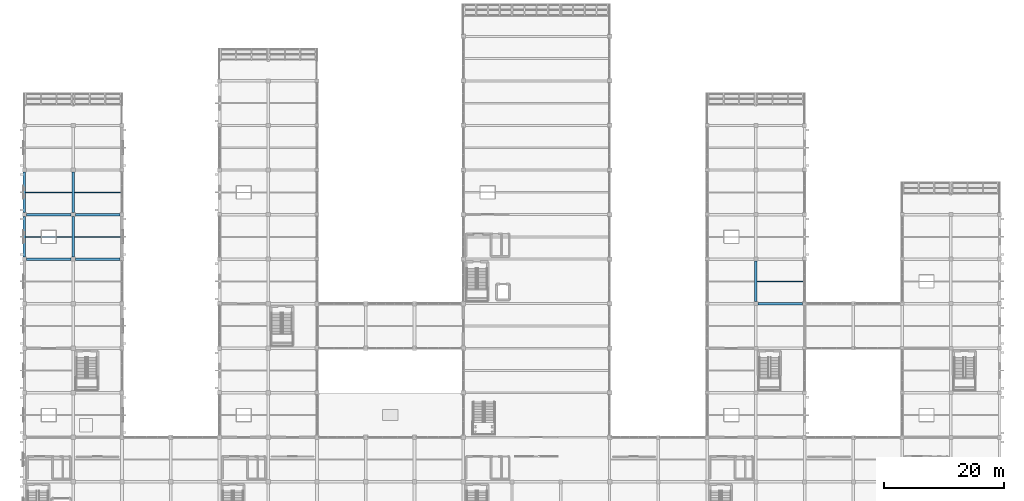
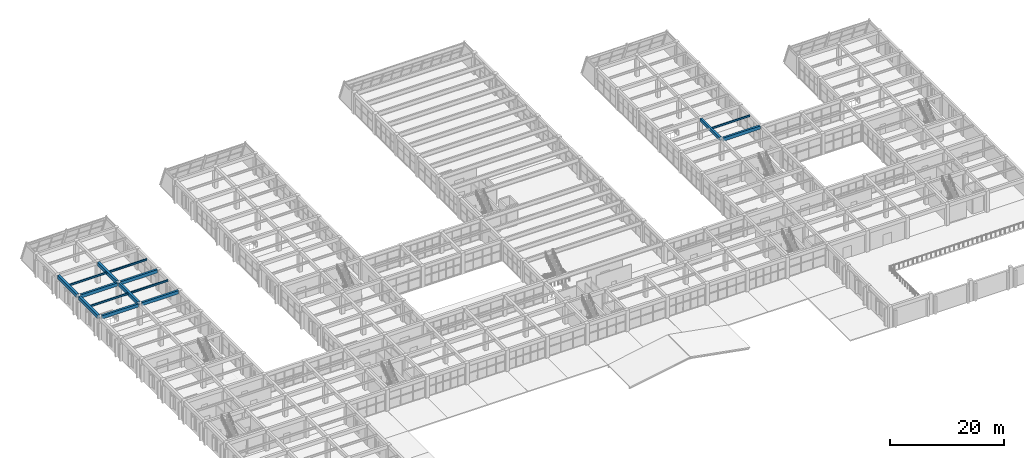
# One storey, part 65 of 161: 15 beams.
"""IFC4 building model written with IfcOpenShell, lengths in metres."""

import ifcopenshell
import ifcopenshell.guid

model = None  # the IFC model being written
_history = None  # IfcOwnerHistory: only IFC2X3 demands one
_inside = {}  # id of a spatial element -> (the spatial element, [elements in it])
_under = {}  # id of a project, library or spatial element -> (it, [spatial elements below it])
_declared = {}  # id of a project -> (the project, [libraries it declares])
_typed = {}  # id of a type object -> (the type object, [elements of that type])
_made_of = {}  # id of a material, layer set ... -> (it, [elements and type objects made of it])


def new_model(schema):
    """Start an empty IFC model of exactly this schema.

    Asked for "IFC4X3", IfcOpenShell would pick the latest addendum, in which some entities
    have other attributes; the version numbers below select the first issue.
    IFC2X3 requires an IfcOwnerHistory on every rooted entity: one is made here for all.
    """
    global model, _history
    if schema == "IFC4X3":
        model = ifcopenshell.file(schema_version=(4, 3, 0, 0))
    else:
        model = ifcopenshell.file(schema=schema)
    _inside.clear()
    _under.clear()
    _declared.clear()
    _typed.clear()
    _made_of.clear()
    _history = None
    if model.schema == "IFC2X3":
        org = make("IfcOrganization", Name="unknown")
        user = make(
            "IfcPersonAndOrganization",
            ThePerson=make("IfcPerson", FamilyName="unknown"),
            TheOrganization=org,
        )
        app = make(
            "IfcApplication",
            ApplicationDeveloper=org,
            Version="unknown",
            ApplicationFullName="unknown",
            ApplicationIdentifier="unknown",
        )
        _history = make(
            "IfcOwnerHistory",
            OwningUser=user,
            OwningApplication=app,
            ChangeAction="ADDED",
            CreationDate=0,
        )
    return model


def make(cls, **values):
    """One entity of the class cls with the attributes given. An attribute that is None is left unset."""
    return model.create_entity(
        cls, **{name: value for name, value in values.items() if value is not None}
    )


def rooted(cls, **values):
    """An entity with a GlobalId (a new one), such as an element, a storey or a relation."""
    return make(cls, GlobalId=ifcopenshell.guid.new(), OwnerHistory=_history, **values)


def si_unit(unit_type, name, prefix=None):
    """IfcSIUnit, for example si_unit("LENGTHUNIT", "METRE", prefix="MILLI")."""
    return make("IfcSIUnit", UnitType=unit_type, Prefix=prefix, Name=name)


def assignment(units):
    """IfcUnitAssignment: the units of a project."""
    return None if units is None else make("IfcUnitAssignment", Units=units)


def point(xyz):
    """IfcCartesianPoint."""
    return None if xyz is None else make("IfcCartesianPoint", Coordinates=xyz)


def direction(xyz):
    """IfcDirection."""
    return None if xyz is None else make("IfcDirection", DirectionRatios=xyz)


def frame(location, z_axis=None, x_axis=None):
    """IfcAxis2Placement3D, a coordinate frame: its origin and axes. An axis left out is left unset."""
    return make(
        "IfcAxis2Placement3D",
        Location=point(location),
        Axis=direction(z_axis),
        RefDirection=direction(x_axis),
    )


def frame_2d(location, x_axis=None):
    """IfcAxis2Placement2D, a coordinate frame in the plane: its origin and x axis."""
    return make(
        "IfcAxis2Placement2D", Location=point(location), RefDirection=direction(x_axis)
    )


def origin():
    """The frame at (0, 0, 0) with its axes left unset."""
    return frame((0.0, 0.0, 0.0))


def origin_2d():
    """The frame at (0, 0) in the plane with its x axis left unset."""
    return frame_2d((0.0, 0.0))


def place(relative_to, where):
    """IfcLocalPlacement: puts the frame where relative to a parent placement (None: the world)."""
    return make(
        "IfcLocalPlacement", PlacementRelTo=relative_to, RelativePlacement=where
    )


def context(
    kind, dimensions, precision=None, world=None, true_north=None, identifier=None
):
    """IfcGeometricRepresentationContext, for example the 3D "Model" context."""
    return make(
        "IfcGeometricRepresentationContext",
        ContextIdentifier=identifier,
        ContextType=kind,
        CoordinateSpaceDimension=dimensions,
        Precision=precision,
        WorldCoordinateSystem=world,
        TrueNorth=true_north,
    )


def subcontext(parent, identifier, kind, view, scale=None):
    """IfcGeometricRepresentationSubContext, for example "Body" below "Model"."""
    return make(
        "IfcGeometricRepresentationSubContext",
        ContextIdentifier=identifier,
        ContextType=kind,
        ParentContext=parent,
        TargetScale=scale,
        TargetView=view,
    )


def project(units=None, contexts=None):
    """IfcProject with its units and contexts."""
    return rooted(
        "IfcProject",
        Name="project",
        RepresentationContexts=contexts,
        UnitsInContext=assignment(units),
    )


def spatial(cls, under=None, at=None, **own):
    """A site, building, storey or space (cls), placed at a placement, below another one or the project."""
    s = rooted(cls, ObjectPlacement=at, **own)
    if under is not None:
        _under.setdefault(under.id(), (under, []))[1].append(s)
    return s


def profile(cls, at=None, kind="AREA", **sizes):
    """A parametric profile (cls). Its sizes go by their IFC names, for example OverallWidth=200.0."""
    return make(cls, ProfileType=kind, Position=at, **sizes)


def rectangle(**sizes):
    """IfcRectangleProfileDef."""
    return profile("IfcRectangleProfileDef", **sizes)


def i_section(**sizes):
    """IfcIShapeProfileDef."""
    return profile("IfcIShapeProfileDef", **sizes)


def extrude(swept, where, along, depth):
    """IfcExtrudedAreaSolid: the profile swept, set in the frame where, extruded along a direction by depth."""
    return make(
        "IfcExtrudedAreaSolid",
        SweptArea=swept,
        Position=where,
        ExtrudedDirection=direction(along),
        Depth=depth,
    )


def shape(context_of_items, identifier, shape_type, items):
    """IfcShapeRepresentation: the items that make up one representation, for example the "Body"."""
    return make(
        "IfcShapeRepresentation",
        ContextOfItems=context_of_items,
        RepresentationIdentifier=identifier,
        RepresentationType=shape_type,
        Items=items,
    )


def material(Name=None, Category=None):
    """IfcMaterial."""
    return make("IfcMaterial", Name=Name, Category=Category)


def material_profile(
    of_material, cross_section, Name=None, Category=None, Priority=None
):
    """IfcMaterialProfile: a cross section and its material."""
    return make(
        "IfcMaterialProfile",
        Name=Name,
        Material=of_material,
        Profile=cross_section,
        Priority=Priority,
        Category=Category,
    )


def profile_set(profiles, Name=None, composite=None):
    """IfcMaterialProfileSet."""
    return make(
        "IfcMaterialProfileSet",
        Name=Name,
        MaterialProfiles=profiles,
        CompositeProfile=composite,
    )


def made_of(thing, what):
    """Note that an element or type object is made of a material, layer set ...; save() writes the relation."""
    if what is not None:
        _made_of.setdefault(what.id(), (what, []))[1].append(thing)
    return thing


def type_object(cls, material=None, **own):
    """A type object (cls), such as IfcWallType, which elements share."""
    return made_of(rooted(cls, **own), material)


def element(
    cls,
    number,
    at=None,
    inside=None,
    cuts=None,
    type_object=None,
    material=None,
    context=None,
    identifier="Body",
    shape_type=None,
    held_by="IfcProductDefinitionShape",
    body=None,
    shapes=None,
    **own,
):
    """One element of the class cls, such as IfcWall. Its Tag is "e" and its number.

    at: its placement. inside: the storey or other place that contains it. cuts: it is an
    opening in that element (IfcRelVoidsElement). A single representation is given by context,
    identifier, shape_type and body (its items); several are given by shapes. held_by: the class
    of the entity that holds the representations. save() writes the other relations.
    """
    e = rooted(cls, Tag="e%d" % number, ObjectPlacement=at, **own)
    if body is not None:
        shapes = [shape(context, identifier, shape_type, body)]
    if shapes is not None:
        e.Representation = make(held_by, Representations=shapes)
    if inside is not None:
        _inside.setdefault(inside.id(), (inside, []))[1].append(e)
    if cuts is not None:
        rooted(
            "IfcRelVoidsElement", RelatingBuildingElement=cuts, RelatedOpeningElement=e
        )
    if type_object is not None:
        _typed.setdefault(type_object.id(), (type_object, []))[1].append(e)
    return made_of(e, material)


def aggregate(whole, parts):
    """IfcRelAggregates: a whole, such as a stair, and the parts it consists of."""
    return rooted("IfcRelAggregates", RelatingObject=whole, RelatedObjects=parts)


def save(model, path):
    """Write the relations noted so far, then the file.

    IfcRelAggregates (storeys below a building ...), IfcRelContainedInSpatialStructure (elements
    in a storey), IfcRelDefinesByType, IfcRelAssociatesMaterial and IfcRelDeclares: one each for
    every whole, place, type object, material and project.
    """
    for whole, parts in _under.values():
        aggregate(whole, parts)
    for where, things in _inside.values():
        rooted(
            "IfcRelContainedInSpatialStructure",
            RelatedElements=things,
            RelatingStructure=where,
        )
    for kind, things in _typed.values():
        rooted("IfcRelDefinesByType", RelatedObjects=things, RelatingType=kind)
    for what, things in _made_of.values():
        rooted("IfcRelAssociatesMaterial", RelatedObjects=things, RelatingMaterial=what)
    for by, libraries in _declared.values():
        rooted("IfcRelDeclares", RelatingContext=by, RelatedDefinitions=libraries)
    model.write(path)


model = new_model("IFC4")

# Units and contexts
model_context = context("Model", 3, precision=1e-05, world=origin(), true_north=direction((0.0, 1.0)))
body_context = subcontext(model_context, "Body", "Model", "MODEL_VIEW")
ifc_project = project(units=[si_unit("LENGTHUNIT", "METRE"), si_unit("AREAUNIT", "SQUARE_METRE"), si_unit("VOLUMEUNIT", "CUBIC_METRE"), si_unit("PLANEANGLEUNIT", "RADIAN"), si_unit("MASSUNIT", "GRAM", prefix="KILO")], contexts=[model_context])

# Site, building, storey
site_placement = place(None, origin())
site = spatial("IfcSite", under=ifc_project, at=site_placement, CompositionType="ELEMENT")
building_placement = place(site_placement, origin())
building = spatial("IfcBuilding", under=site, at=building_placement, Name="Cimatlan Art Gallery", CompositionType="ELEMENT")
storey_placement = place(building_placement, frame((0.0, 0.0, 5.39990234375)))
storey = spatial("IfcBuildingStorey", under=building, at=storey_placement, Name="L01", CompositionType="ELEMENT", Elevation=5.39990234375)

# Beams
ifc_material_1 = material(Name="Concrete C40/50", Category="concrete")
ifc_material_profile_1 = material_profile(ifc_material_1, rectangle(XDim=0.39990234375, YDim=0.699951171875, at=origin_2d()), Name="RC400X700")
ifc_profile_set_1 = profile_set([ifc_material_profile_1], Name="Concrete C40/50")
beam_type_1 = type_object("IfcBeamType", Name="BM-RC-400X700", PredefinedType="BEAM", material=ifc_profile_set_1)
beam_1_placement = place(storey_placement, frame((123.5, 61.22509765625, 4.210205078125), z_axis=(0.0, 1.0, 0.0), x_axis=(-1.0, 0.0, 0.0)))
element("IfcBeam", 1, at=beam_1_placement, inside=storey, type_object=beam_type_1, Name="BM-Y-L01-15-08", PredefinedType="BEAM", context=body_context, shape_type="SweptSolid", body=[
    extrude(rectangle(XDim=0.39990234375, YDim=0.699951171875, at=origin_2d()), origin(), (0.0, 0.0, 1.0), 6.75),
])
for number, where, z_axis, x_axis, name in (
    (2, (2.35009765625, 68.300048828125, 4.210205078125), (1.0, 0.0, 0.0), (0.0, 1.0, 0.0), "BM-X-L01-00-09"),
    (3, (2.35009765625, 75.699951171875, 4.210205078125), (1.0, 0.0, 0.0), (0.0, 1.0, 0.0), "BM-X-L01-00-10"),
):
    element("IfcBeam", number, at=place(storey_placement, frame(where, z_axis=z_axis, x_axis=x_axis)), inside=storey, type_object=beam_type_1, Name=name, PredefinedType="BEAM", context=body_context, shape_type="SweptSolid", body=[
        extrude(rectangle(XDim=0.39990234375, YDim=0.699951171875, at=origin_2d()), origin(), (0.0, 0.0, 1.0), 7.39990234375),
    ])
for number, where, z_axis, x_axis, name in (
    (4, (10.449951171875, 68.300048828125, 4.210205078125), (1.0, 0.0, 0.0), (0.0, 1.0, 0.0), "BM-X-L01-01-09"),
    (5, (10.449951171875, 75.699951171875, 4.210205078125), (1.0, 0.0, 0.0), (0.0, 1.0, 0.0), "BM-X-L01-01-10"),
):
    element("IfcBeam", number, at=place(storey_placement, frame(where, z_axis=z_axis, x_axis=x_axis)), inside=storey, type_object=beam_type_1, Name=name, PredefinedType="BEAM", context=body_context, shape_type="SweptSolid", body=[
        extrude(rectangle(XDim=0.39990234375, YDim=0.699951171875, at=origin_2d()), origin(), (0.0, 0.0, 1.0), 7.400146484375),
    ])
beam_2_placement = place(storey_placement, frame((123.824951171875, 60.89990234375, 4.210205078125), z_axis=(1.0, 0.0, 0.0), x_axis=(0.0, 1.0, 0.0)))
element("IfcBeam", 6, at=beam_2_placement, inside=storey, type_object=beam_type_1, Name="BM-X-L01-15-08", PredefinedType="BEAM", context=body_context, shape_type="SweptSolid", body=[
    extrude(rectangle(XDim=0.39990234375, YDim=0.699951171875, at=origin_2d()), origin(), (0.0, 0.0, 1.0), 7.449951171875),
])
ifc_material_profile_2 = material_profile(ifc_material_1, rectangle(XDim=0.449951171875, YDim=0.75, at=origin_2d()), Name="RC450X750")
ifc_profile_set_2 = profile_set([ifc_material_profile_2], Name="Concrete C40/50")
beam_type_2 = type_object("IfcBeamType", Name="BM-RC-450X750", PredefinedType="BEAM", material=ifc_profile_set_2)
beam_3_placement = place(storey_placement, frame((2.0, 68.64990234375, 4.18505859375), z_axis=(0.0, 1.0, 0.0), x_axis=(-1.0, 0.0, 0.0)))
element("IfcBeam", 7, at=beam_3_placement, inside=storey, type_object=beam_type_2, Name="BM-Y-L01-00-09", PredefinedType="BEAM", context=body_context, shape_type="SweptSolid", body=[
    extrude(rectangle(XDim=0.449951171875, YDim=0.75, at=origin_2d()), origin(), (0.0, 0.0, 1.0), 6.7001953125),
])
beam_4_placement = place(storey_placement, frame((2.0, 76.050048828125, 4.18505859375), z_axis=(0.0, 1.0, 0.0), x_axis=(-1.0, 0.0, 0.0)))
element("IfcBeam", 8, at=beam_4_placement, inside=storey, type_object=beam_type_2, Name="BM-Y-L01-00-10", PredefinedType="BEAM", context=body_context, shape_type="SweptSolid", body=[
    extrude(rectangle(XDim=0.449951171875, YDim=0.75, at=origin_2d()), origin(), (0.0, 0.0, 1.0), 6.699951171875),
])
beam_5_placement = place(storey_placement, frame((10.10009765625, 68.64990234375, 4.18505859375), z_axis=(0.0, 1.0, 0.0), x_axis=(-1.0, 0.0, 0.0)))
element("IfcBeam", 9, at=beam_5_placement, inside=storey, type_object=beam_type_2, Name="BM-Y-L01-01-09", PredefinedType="BEAM", context=body_context, shape_type="SweptSolid", body=[
    extrude(rectangle(XDim=0.449951171875, YDim=0.75, at=origin_2d()), origin(), (0.0, 0.0, 1.0), 6.7001953125),
])
beam_6_placement = place(storey_placement, frame((10.10009765625, 76.050048828125, 4.18505859375), z_axis=(0.0, 1.0, 0.0), x_axis=(-1.0, 0.0, 0.0)))
element("IfcBeam", 10, at=beam_6_placement, inside=storey, type_object=beam_type_2, Name="BM-Y-L01-01-10", PredefinedType="BEAM", context=body_context, shape_type="SweptSolid", body=[
    extrude(rectangle(XDim=0.449951171875, YDim=0.75, at=origin_2d()), origin(), (0.0, 0.0, 1.0), 6.699951171875),
])
ifc_material_2 = material(Name="Steel ASTM A992 Grade 50", Category="steel")
ifc_material_profile_3 = material_profile(ifc_material_2, i_section(OverallWidth=0.177978515625, OverallDepth=0.406982421875, WebThickness=0.0078125, FlangeThickness=0.0126953125, at=origin_2d()), Name="W16X40")
ifc_profile_set_3 = profile_set([ifc_material_profile_3], Name="Steel ASTM A992 Grade 50")
beam_type_3 = type_object("IfcBeamType", Name="BM-STL-W16X40", PredefinedType="JOIST", material=ifc_profile_set_3)
for number, where, z_axis, x_axis, name in (
    (11, (2.22509765625, 72.0, 4.356689453125), (1.0, 0.0, 0.0), (0.0, 1.0, 0.0), "JST-L01-00-09"),
    (12, (2.22509765625, 79.39990234375, 4.356689453125), (1.0, 0.0, 0.0), (0.0, 1.0, 0.0), "JST-L01-00-10"),
):
    element("IfcBeam", number, at=place(storey_placement, frame(where, z_axis=z_axis, x_axis=x_axis)), inside=storey, type_object=beam_type_3, Name=name, PredefinedType="JOIST", context=body_context, shape_type="SweptSolid", body=[
        extrude(i_section(OverallWidth=0.177978515625, OverallDepth=0.406982421875, WebThickness=0.0078125, FlangeThickness=0.0126953125, at=origin_2d()), origin(), (0.0, 0.0, 1.0), 7.64990234375),
    ])
for number, where, z_axis, x_axis, name in (
    (13, (10.324951171875, 72.0, 4.356689453125), (1.0, 0.0, 0.0), (0.0, 1.0, 0.0), "JST-L01-01-09"),
    (14, (10.324951171875, 79.39990234375, 4.356689453125), (1.0, 0.0, 0.0), (0.0, 1.0, 0.0), "JST-L01-01-10"),
):
    element("IfcBeam", number, at=place(storey_placement, frame(where, z_axis=z_axis, x_axis=x_axis)), inside=storey, type_object=beam_type_3, Name=name, PredefinedType="JOIST", context=body_context, shape_type="SweptSolid", body=[
        extrude(i_section(OverallWidth=0.177978515625, OverallDepth=0.406982421875, WebThickness=0.0078125, FlangeThickness=0.0126953125, at=origin_2d()), origin(), (0.0, 0.0, 1.0), 7.650146484375),
    ])
beam_7_placement = place(storey_placement, frame((123.699951171875, 64.60009765625, 4.356689453125), z_axis=(1.0, 0.0, 0.0), x_axis=(0.0, 1.0, 0.0)))
element("IfcBeam", 15, at=beam_7_placement, inside=storey, type_object=beam_type_3, Name="JST-L01-15-08", PredefinedType="JOIST", context=body_context, shape_type="SweptSolid", body=[
    extrude(i_section(OverallWidth=0.177978515625, OverallDepth=0.406982421875, WebThickness=0.0078125, FlangeThickness=0.0126953125, at=origin_2d()), origin(), (0.0, 0.0, 1.0), 7.699951171875),
])

save(model, "model.ifc")
